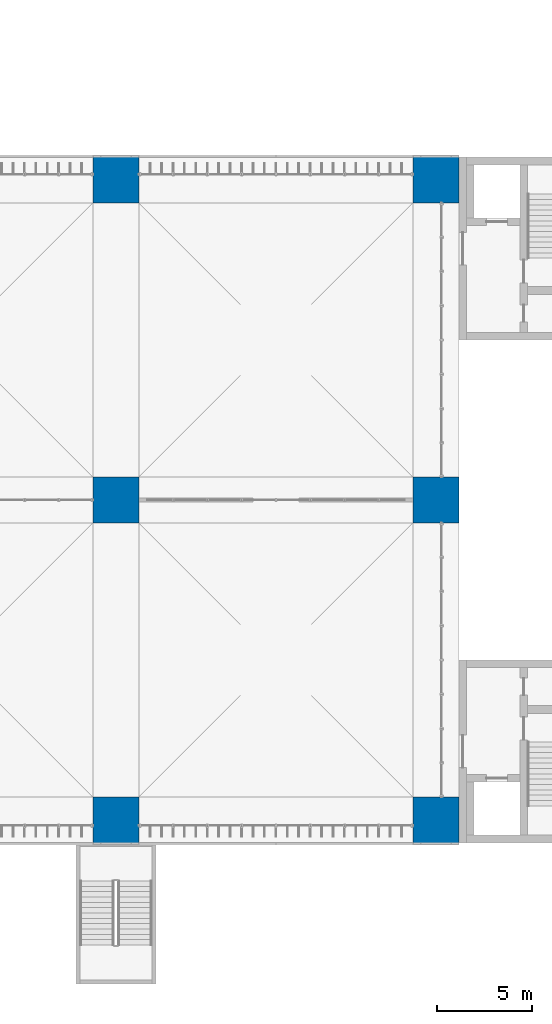
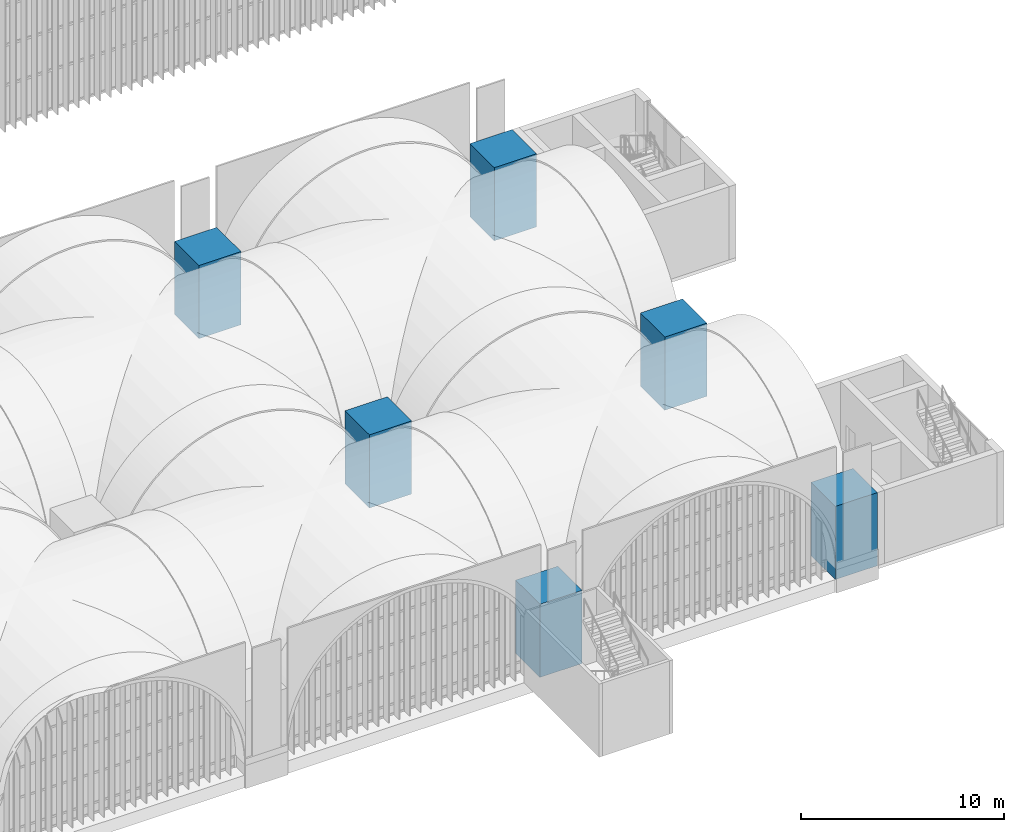
# One storey, part 16 of 169: 6 columns.
"""IFC4 building model written with IfcOpenShell, lengths in metres."""

from ifc_helpers import new_model, si_unit, direction, frame, origin, origin_2d, place, context, subcontext, project, spatial, rectangle, extrude, material, material_profile, profile_set, type_object, element, save


model = new_model("IFC4")

# Units and contexts
model_context = context("Model", 3, precision=1e-05, world=origin(), true_north=direction((0.0, 1.0)))
body_context = subcontext(model_context, "Body", "Model", "MODEL_VIEW")
ifc_project = project(units=[si_unit("LENGTHUNIT", "METRE"), si_unit("AREAUNIT", "SQUARE_METRE"), si_unit("VOLUMEUNIT", "CUBIC_METRE"), si_unit("PLANEANGLEUNIT", "RADIAN"), si_unit("MASSUNIT", "GRAM", prefix="KILO")], contexts=[model_context])

# Site, building, storey
site_placement = place(None, origin())
site = spatial("IfcSite", under=ifc_project, at=site_placement, CompositionType="ELEMENT")
building_placement = place(site_placement, origin())
building = spatial("IfcBuilding", under=site, at=building_placement, Name="Verrick Yard Athletic Hall", CompositionType="ELEMENT")
storey_placement = place(building_placement, frame((0.0, 0.0, 4.39990234375)))
storey = spatial("IfcBuildingStorey", under=building, at=storey_placement, Name="L01", CompositionType="ELEMENT", Elevation=4.39990234375)

# Columns
ifc_material = material(Name="Concrete 35 MPa", Category="concrete")
ifc_material_profile = material_profile(ifc_material, rectangle(XDim=2.39990234375, YDim=2.39990234375, at=origin_2d()), Name="STR Buttress pier PR1")
ifc_profile_set = profile_set([ifc_material_profile], Name="Concrete 35 MPa")
column_type = type_object("IfcColumnType", Name="STR Buttress pier PR1", PredefinedType="COLUMN", material=ifc_profile_set)
for number, where, z_axis, x_axis, name in (
    (1, (140.800048828125, 19.199951171875, 0.0), (0.0, 0.0, 1.0), (1.0, 0.0, 0.0), "Buttress pier P7A"),
    (2, (157.60009765625, 19.199951171875, 0.0), (0.0, 0.0, 1.0), (1.0, 0.0, 0.0), "Buttress pier P8A"),
    (3, (140.800048828125, 36.0, 0.0), (0.0, 0.0, 1.0), (1.0, 0.0, 0.0), "Buttress pier P7B"),
    (4, (157.60009765625, 36.0, 0.0), (0.0, 0.0, 1.0), (1.0, 0.0, 0.0), "Buttress pier P8B"),
    (5, (140.800048828125, 52.800048828125, 0.0), (0.0, 0.0, 1.0), (1.0, 0.0, 0.0), "Buttress pier P7C"),
    (6, (157.60009765625, 52.800048828125, 0.0), (0.0, 0.0, 1.0), (1.0, 0.0, 0.0), "Buttress pier P8C"),
):
    element("IfcColumn", number, at=place(storey_placement, frame(where, z_axis=z_axis, x_axis=x_axis)), inside=storey, type_object=column_type, Name=name, PredefinedType="COLUMN", context=body_context, shape_type="SweptSolid", body=[
        extrude(rectangle(XDim=2.39990234375, YDim=2.39990234375, at=origin_2d()), origin(), (0.0, 0.0, 1.0), 4.400146484375),
    ])

save(model, "model.ifc")
